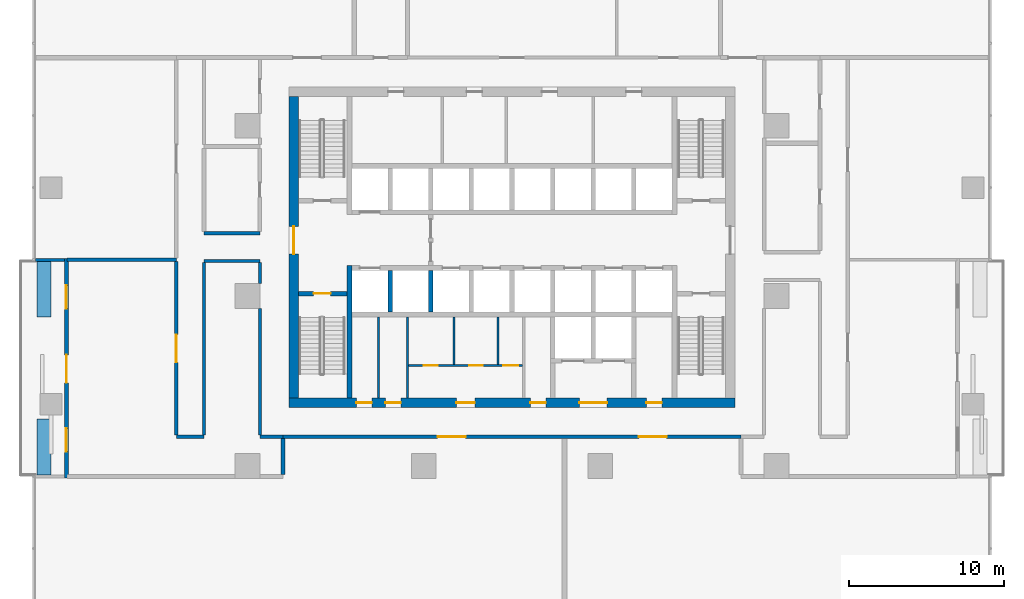
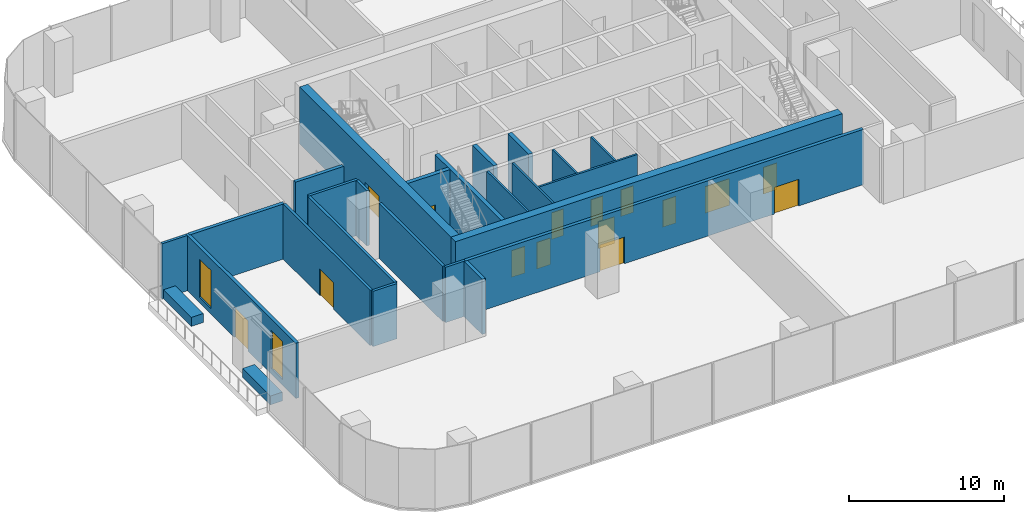
# One storey, part 7 of 14: 26 walls, 15 doors, 2 windows, 17 openings.
"""IFC4 building model written with IfcOpenShell, lengths in metres."""

import ifcopenshell
import ifcopenshell.guid

model = None  # the IFC model being written
_history = None  # IfcOwnerHistory: only IFC2X3 demands one
_inside = {}  # id of a spatial element -> (the spatial element, [elements in it])
_under = {}  # id of a project, library or spatial element -> (it, [spatial elements below it])
_declared = {}  # id of a project -> (the project, [libraries it declares])
_typed = {}  # id of a type object -> (the type object, [elements of that type])
_made_of = {}  # id of a material, layer set ... -> (it, [elements and type objects made of it])


def new_model(schema):
    """Start an empty IFC model of exactly this schema.

    Asked for "IFC4X3", IfcOpenShell would pick the latest addendum, in which some entities
    have other attributes; the version numbers below select the first issue.
    IFC2X3 requires an IfcOwnerHistory on every rooted entity: one is made here for all.
    """
    global model, _history
    if schema == "IFC4X3":
        model = ifcopenshell.file(schema_version=(4, 3, 0, 0))
    else:
        model = ifcopenshell.file(schema=schema)
    _inside.clear()
    _under.clear()
    _declared.clear()
    _typed.clear()
    _made_of.clear()
    _history = None
    if model.schema == "IFC2X3":
        org = make("IfcOrganization", Name="unknown")
        user = make(
            "IfcPersonAndOrganization",
            ThePerson=make("IfcPerson", FamilyName="unknown"),
            TheOrganization=org,
        )
        app = make(
            "IfcApplication",
            ApplicationDeveloper=org,
            Version="unknown",
            ApplicationFullName="unknown",
            ApplicationIdentifier="unknown",
        )
        _history = make(
            "IfcOwnerHistory",
            OwningUser=user,
            OwningApplication=app,
            ChangeAction="ADDED",
            CreationDate=0,
        )
    return model


def make(cls, **values):
    """One entity of the class cls with the attributes given. An attribute that is None is left unset."""
    return model.create_entity(
        cls, **{name: value for name, value in values.items() if value is not None}
    )


def rooted(cls, **values):
    """An entity with a GlobalId (a new one), such as an element, a storey or a relation."""
    return make(cls, GlobalId=ifcopenshell.guid.new(), OwnerHistory=_history, **values)


def si_unit(unit_type, name, prefix=None):
    """IfcSIUnit, for example si_unit("LENGTHUNIT", "METRE", prefix="MILLI")."""
    return make("IfcSIUnit", UnitType=unit_type, Prefix=prefix, Name=name)


def assignment(units):
    """IfcUnitAssignment: the units of a project."""
    return None if units is None else make("IfcUnitAssignment", Units=units)


def point(xyz):
    """IfcCartesianPoint."""
    return None if xyz is None else make("IfcCartesianPoint", Coordinates=xyz)


def direction(xyz):
    """IfcDirection."""
    return None if xyz is None else make("IfcDirection", DirectionRatios=xyz)


def frame(location, z_axis=None, x_axis=None):
    """IfcAxis2Placement3D, a coordinate frame: its origin and axes. An axis left out is left unset."""
    return make(
        "IfcAxis2Placement3D",
        Location=point(location),
        Axis=direction(z_axis),
        RefDirection=direction(x_axis),
    )


def frame_2d(location, x_axis=None):
    """IfcAxis2Placement2D, a coordinate frame in the plane: its origin and x axis."""
    return make(
        "IfcAxis2Placement2D", Location=point(location), RefDirection=direction(x_axis)
    )


def origin():
    """The frame at (0, 0, 0) with its axes left unset."""
    return frame((0.0, 0.0, 0.0))


def place(relative_to, where):
    """IfcLocalPlacement: puts the frame where relative to a parent placement (None: the world)."""
    return make(
        "IfcLocalPlacement", PlacementRelTo=relative_to, RelativePlacement=where
    )


def context(
    kind, dimensions, precision=None, world=None, true_north=None, identifier=None
):
    """IfcGeometricRepresentationContext, for example the 3D "Model" context."""
    return make(
        "IfcGeometricRepresentationContext",
        ContextIdentifier=identifier,
        ContextType=kind,
        CoordinateSpaceDimension=dimensions,
        Precision=precision,
        WorldCoordinateSystem=world,
        TrueNorth=true_north,
    )


def subcontext(parent, identifier, kind, view, scale=None):
    """IfcGeometricRepresentationSubContext, for example "Body" below "Model"."""
    return make(
        "IfcGeometricRepresentationSubContext",
        ContextIdentifier=identifier,
        ContextType=kind,
        ParentContext=parent,
        TargetScale=scale,
        TargetView=view,
    )


def project(units=None, contexts=None):
    """IfcProject with its units and contexts."""
    return rooted(
        "IfcProject",
        Name="project",
        RepresentationContexts=contexts,
        UnitsInContext=assignment(units),
    )


def spatial(cls, under=None, at=None, **own):
    """A site, building, storey or space (cls), placed at a placement, below another one or the project."""
    s = rooted(cls, ObjectPlacement=at, **own)
    if under is not None:
        _under.setdefault(under.id(), (under, []))[1].append(s)
    return s


def profile(cls, at=None, kind="AREA", **sizes):
    """A parametric profile (cls). Its sizes go by their IFC names, for example OverallWidth=200.0."""
    return make(cls, ProfileType=kind, Position=at, **sizes)


def rectangle(**sizes):
    """IfcRectangleProfileDef."""
    return profile("IfcRectangleProfileDef", **sizes)


def extrude(swept, where, along, depth):
    """IfcExtrudedAreaSolid: the profile swept, set in the frame where, extruded along a direction by depth."""
    return make(
        "IfcExtrudedAreaSolid",
        SweptArea=swept,
        Position=where,
        ExtrudedDirection=direction(along),
        Depth=depth,
    )


def shape(context_of_items, identifier, shape_type, items):
    """IfcShapeRepresentation: the items that make up one representation, for example the "Body"."""
    return make(
        "IfcShapeRepresentation",
        ContextOfItems=context_of_items,
        RepresentationIdentifier=identifier,
        RepresentationType=shape_type,
        Items=items,
    )


def material(Name=None, Category=None):
    """IfcMaterial."""
    return make("IfcMaterial", Name=Name, Category=Category)


def layer(
    of_material, thickness, ventilated=None, Name=None, Category=None, Priority=None
):
    """IfcMaterialLayer: one layer of a wall or slab, of a material (None: an air gap)."""
    return make(
        "IfcMaterialLayer",
        Material=of_material,
        LayerThickness=thickness,
        IsVentilated=ventilated,
        Name=Name,
        Category=Category,
        Priority=Priority,
    )


def layer_set(layers, Name=None):
    """IfcMaterialLayerSet."""
    return make("IfcMaterialLayerSet", MaterialLayers=layers, LayerSetName=Name)


def made_of(thing, what):
    """Note that an element or type object is made of a material, layer set ...; save() writes the relation."""
    if what is not None:
        _made_of.setdefault(what.id(), (what, []))[1].append(thing)
    return thing


def type_object(cls, material=None, **own):
    """A type object (cls), such as IfcWallType, which elements share."""
    return made_of(rooted(cls, **own), material)


def element(
    cls,
    number,
    at=None,
    inside=None,
    cuts=None,
    type_object=None,
    material=None,
    context=None,
    identifier="Body",
    shape_type=None,
    held_by="IfcProductDefinitionShape",
    body=None,
    shapes=None,
    **own,
):
    """One element of the class cls, such as IfcWall. Its Tag is "e" and its number.

    at: its placement. inside: the storey or other place that contains it. cuts: it is an
    opening in that element (IfcRelVoidsElement). A single representation is given by context,
    identifier, shape_type and body (its items); several are given by shapes. held_by: the class
    of the entity that holds the representations. save() writes the other relations.
    """
    e = rooted(cls, Tag="e%d" % number, ObjectPlacement=at, **own)
    if body is not None:
        shapes = [shape(context, identifier, shape_type, body)]
    if shapes is not None:
        e.Representation = make(held_by, Representations=shapes)
    if inside is not None:
        _inside.setdefault(inside.id(), (inside, []))[1].append(e)
    if cuts is not None:
        rooted(
            "IfcRelVoidsElement", RelatingBuildingElement=cuts, RelatedOpeningElement=e
        )
    if type_object is not None:
        _typed.setdefault(type_object.id(), (type_object, []))[1].append(e)
    return made_of(e, material)


def fill(opening, filler):
    """IfcRelFillsElement: the door or window that sits in an opening."""
    return rooted(
        "IfcRelFillsElement",
        RelatingOpeningElement=opening,
        RelatedBuildingElement=filler,
    )


def aggregate(whole, parts):
    """IfcRelAggregates: a whole, such as a stair, and the parts it consists of."""
    return rooted("IfcRelAggregates", RelatingObject=whole, RelatedObjects=parts)


def save(model, path):
    """Write the relations noted so far, then the file.

    IfcRelAggregates (storeys below a building ...), IfcRelContainedInSpatialStructure (elements
    in a storey), IfcRelDefinesByType, IfcRelAssociatesMaterial and IfcRelDeclares: one each for
    every whole, place, type object, material and project.
    """
    for whole, parts in _under.values():
        aggregate(whole, parts)
    for where, things in _inside.values():
        rooted(
            "IfcRelContainedInSpatialStructure",
            RelatedElements=things,
            RelatingStructure=where,
        )
    for kind, things in _typed.values():
        rooted("IfcRelDefinesByType", RelatedObjects=things, RelatingType=kind)
    for what, things in _made_of.values():
        rooted("IfcRelAssociatesMaterial", RelatedObjects=things, RelatingMaterial=what)
    for by, libraries in _declared.values():
        rooted("IfcRelDeclares", RelatingContext=by, RelatedDefinitions=libraries)
    model.write(path)


model = new_model("IFC4")

# Units and contexts
model_context = context("Model", 3, precision=1e-05, world=origin(), true_north=direction((0.0, 1.0)))
body_context = subcontext(model_context, "Body", "Model", "MODEL_VIEW")
ifc_project = project(units=[si_unit("LENGTHUNIT", "METRE"), si_unit("AREAUNIT", "SQUARE_METRE"), si_unit("VOLUMEUNIT", "CUBIC_METRE"), si_unit("PLANEANGLEUNIT", "RADIAN"), si_unit("MASSUNIT", "GRAM", prefix="KILO")], contexts=[model_context])

# Site, building, storey
site_placement = place(None, origin())
site = spatial("IfcSite", under=ifc_project, at=site_placement, CompositionType="ELEMENT")
building_placement = place(site_placement, origin())
building = spatial("IfcBuilding", under=site, at=building_placement, Name="Mopane Tessera Tower", CompositionType="ELEMENT")
storey_placement = place(building_placement, frame((0.0, 0.0, 40.60009765625)))
storey = spatial("IfcBuildingStorey", under=building, at=storey_placement, Name="L07", CompositionType="ELEMENT", Elevation=40.60009765625)

# Walls
ifc_material_1 = material(Name="Fire-rated gypsum board partition")
ifc_layer_1 = layer(ifc_material_1, 0.14990234375)
ifc_layer_set_1 = layer_set([ifc_layer_1], Name="Fire-rated gypsum board partition")
wall_type_1 = type_object("IfcWallType", Name="Core room partition 150 mm", PredefinedType="PARTITIONING", material=ifc_layer_set_1)
for number, where, z_axis, x_axis, name in (
    (1, (-8.625, -6.60009765625, 0.0), (0.0, 0.0, 1.0), (0.0, 1.0, 0.0), "L07 Room partition"),
    (2, (-6.75, -6.60009765625, 0.0), (0.0, 0.0, 1.0), (0.0, 1.0, 0.0), "L07 Room partition"),
):
    element("IfcWall", number, at=place(storey_placement, frame(where, z_axis=z_axis, x_axis=x_axis)), inside=storey, type_object=wall_type_1, Name=name, PredefinedType="PARTITIONING", context=body_context, shape_type="SweptSolid", body=[
        extrude(rectangle(XDim=5.25, YDim=0.14990234375, at=frame_2d((2.625, 0.0))), origin(), (0.0, 0.0, 1.0), 4.5),
    ])

# Wall, openings, doors
wall_1_placement = place(storey_placement, frame((-6.675048828125, -4.5, 0.0), z_axis=(0.0, 0.0, 1.0), x_axis=(1.0, 0.0, 0.0)))
wall_1 = element("IfcWall", 3, at=wall_1_placement, inside=storey, type_object=wall_type_1, Name="L07 WC partition", PredefinedType="PARTITIONING", context=body_context, shape_type="SweptSolid", body=[
    extrude(rectangle(XDim=7.35009765625, YDim=0.14990234375, at=frame_2d((3.675048828125, 0.0))), origin(), (0.0, 0.0, 1.0), 4.5),
])
opening_1_placement = place(wall_1_placement, frame((0.97509765625, 0.0, 0.0)))
opening_1 = element("IfcOpeningElement", 4, at=opening_1_placement, cuts=wall_1, Name="Opening WD1", PredefinedType="OPENING", context=body_context, shape_type="SweptSolid", body=[
    extrude(rectangle(XDim=0.89990234375, YDim=2.10009765625, at=frame_2d((0.449951171875, 1.050048828125))), frame((0.0, 0.0869140625, 0.0), z_axis=(0.0, -1.0, 0.0), x_axis=(1.0, 0.0, 0.0)), (0.0, 0.0, 1.0), 0.173828125),
])
opening_2_placement = place(wall_1_placement, frame((3.89990234375, 0.0, 0.0)))
opening_2 = element("IfcOpeningElement", 5, at=opening_2_placement, cuts=wall_1, Name="Opening WD1", PredefinedType="OPENING", context=body_context, shape_type="SweptSolid", body=[
    extrude(rectangle(XDim=0.89990234375, YDim=2.10009765625, at=frame_2d((0.449951171875, 1.050048828125))), frame((0.0, 0.0869140625, 0.0), z_axis=(0.0, -1.0, 0.0), x_axis=(1.0, 0.0, 0.0)), (0.0, 0.0, 1.0), 0.173828125),
])
opening_3_placement = place(wall_1_placement, frame((6.125, 0.0, 0.0)))
opening_3 = element("IfcOpeningElement", 6, at=opening_3_placement, cuts=wall_1, Name="Opening WD2", PredefinedType="OPENING", context=body_context, shape_type="SweptSolid", body=[
    extrude(rectangle(XDim=0.949951171875, YDim=2.10009765625, at=frame_2d((0.47509765625, 1.050048828125))), frame((0.0, 0.0869140625, 0.0), z_axis=(0.0, -1.0, 0.0), x_axis=(1.0, 0.0, 0.0)), (0.0, 0.0, 1.0), 0.173828125),
])
ifc_material_2 = material(Name="Timber door", Category="wood")
door_type_1 = type_object("IfcDoorType", Name="Accessible WC door 950 x 2100", OperationType="SINGLE_SWING_LEFT", PredefinedType="DOOR", material=ifc_material_2)
door_1_placement = place(opening_3_placement, origin())
door_1 = element("IfcDoor", 7, at=door_1_placement, inside=storey, type_object=door_type_1, Name="L07 Accessible WC door", OperationType="SINGLE_SWING_LEFT", OverallHeight=2.10009765625, OverallWidth=0.949951171875, PredefinedType="DOOR", context=body_context, shape_type="SweptSolid", body=[
    extrude(rectangle(XDim=0.949951171875, YDim=2.10009765625, at=frame_2d((0.47509765625, 1.050048828125))), frame((0.0, 0.02490234375, 0.0), z_axis=(0.0, -1.0, 0.0), x_axis=(1.0, 0.0, 0.0)), (0.0, 0.0, 1.0), 0.050048828125),
])
fill(opening_3, door_1)
ifc_material_3 = material(Name="Timber door", Category="wood")
door_type_2 = type_object("IfcDoorType", Name="WC cubicle door 900 x 2100", OperationType="SINGLE_SWING_LEFT", PredefinedType="DOOR", material=ifc_material_3)
door_2_placement = place(opening_1_placement, origin())
door_2 = element("IfcDoor", 8, at=door_2_placement, inside=storey, type_object=door_type_2, Name="L07 Men's WC door", OperationType="SINGLE_SWING_LEFT", OverallHeight=2.10009765625, OverallWidth=0.89990234375, PredefinedType="DOOR", context=body_context, shape_type="SweptSolid", body=[
    extrude(rectangle(XDim=0.89990234375, YDim=2.10009765625, at=frame_2d((0.449951171875, 1.050048828125))), frame((0.0, 0.02490234375, 0.0), z_axis=(0.0, -1.0, 0.0), x_axis=(1.0, 0.0, 0.0)), (0.0, 0.0, 1.0), 0.050048828125),
])
fill(opening_1, door_2)
door_3_placement = place(opening_2_placement, origin())
door_3 = element("IfcDoor", 9, at=door_3_placement, inside=storey, type_object=door_type_2, Name="L07 Women's WC door", OperationType="SINGLE_SWING_LEFT", OverallHeight=2.10009765625, OverallWidth=0.89990234375, PredefinedType="DOOR", context=body_context, shape_type="SweptSolid", body=[
    extrude(rectangle(XDim=0.89990234375, YDim=2.10009765625, at=frame_2d((0.449951171875, 1.050048828125))), frame((0.0, 0.02490234375, 0.0), z_axis=(0.0, -1.0, 0.0), x_axis=(1.0, 0.0, 0.0)), (0.0, 0.0, 1.0), 0.050048828125),
])
fill(opening_2, door_3)

# Walls
for number, where, z_axis, x_axis, name in (
    (10, (-3.75, -4.425048828125, 0.0), (0.0, 0.0, 1.0), (0.0, 1.0, 0.0), "L07 WC partition"),
    (11, (-0.89990234375, -4.425048828125, 0.0), (0.0, 0.0, 1.0), (0.0, 1.0, 0.0), "L07 WC partition"),
):
    element("IfcWall", number, at=place(storey_placement, frame(where, z_axis=z_axis, x_axis=x_axis)), inside=storey, type_object=wall_type_1, Name=name, PredefinedType="PARTITIONING", context=body_context, shape_type="SweptSolid", body=[
        extrude(rectangle(XDim=3.074951171875, YDim=0.14990234375, at=frame_2d((1.53759765625, 0.0))), origin(), (0.0, 0.0, 1.0), 4.5),
    ])

# Wall, openings, doors
ifc_material_4 = material(Name="Concrete C70/85", Category="concrete")
ifc_layer_2 = layer(ifc_material_4, 0.60009765625)
ifc_layer_set_2 = layer_set([ifc_layer_2], Name="Concrete C70/85")
wall_type_2 = type_object("IfcWallType", Name="Core shear wall 600 mm", PredefinedType="SHEAR", material=ifc_layer_set_2)
wall_2_placement = place(storey_placement, frame((-14.39990234375, -6.89990234375, 0.0), z_axis=(0.0, 0.0, 1.0), x_axis=(1.0, 0.0, 0.0)))
wall_2 = element("IfcWall", 12, at=wall_2_placement, inside=storey, type_object=wall_type_2, Name="L07 Core wall south", PredefinedType="SHEAR", context=body_context, shape_type="SweptSolid", body=[
    extrude(rectangle(XDim=28.7998046875, YDim=0.60009765625, at=frame_2d((14.39990234375, 0.0))), origin(), (0.0, 0.0, 1.0), 4.5),
])
opening_4_placement = place(wall_2_placement, frame((4.33740234375, 0.0, 0.0)))
opening_4 = element("IfcOpeningElement", 13, at=opening_4_placement, cuts=wall_2, Name="Opening RD1", PredefinedType="OPENING", context=body_context, shape_type="SweptSolid", body=[
    extrude(rectangle(XDim=1.0, YDim=2.10009765625, at=frame_2d((0.5, 1.050048828125))), frame((0.0, 0.31201171875, 0.0), z_axis=(0.0, -1.0, 0.0), x_axis=(1.0, 0.0, 0.0)), (0.0, 0.0, 1.0), 0.6240234375),
])
opening_5_placement = place(wall_2_placement, frame((6.21240234375, 0.0, 0.0)))
opening_5 = element("IfcOpeningElement", 14, at=opening_5_placement, cuts=wall_2, Name="Opening RD1", PredefinedType="OPENING", context=body_context, shape_type="SweptSolid", body=[
    extrude(rectangle(XDim=1.0, YDim=2.10009765625, at=frame_2d((0.5, 1.050048828125))), frame((0.0, 0.31201171875, 0.0), z_axis=(0.0, -1.0, 0.0), x_axis=(1.0, 0.0, 0.0)), (0.0, 0.0, 1.0), 0.6240234375),
])
opening_6_placement = place(wall_2_placement, frame((10.800048828125, 0.0, 0.0)))
opening_6 = element("IfcOpeningElement", 15, at=opening_6_placement, cuts=wall_2, Name="Opening WD3", PredefinedType="OPENING", context=body_context, shape_type="SweptSolid", body=[
    extrude(rectangle(XDim=1.199951171875, YDim=2.10009765625, at=frame_2d((0.60009765625, 1.050048828125))), frame((0.0, 0.31201171875, 0.0), z_axis=(0.0, -1.0, 0.0), x_axis=(1.0, 0.0, 0.0)), (0.0, 0.0, 1.0), 0.6240234375),
])
opening_7_placement = place(wall_2_placement, frame((15.58740234375, 0.0, 0.0)))
opening_7 = element("IfcOpeningElement", 16, at=opening_7_placement, cuts=wall_2, Name="Opening RD1", PredefinedType="OPENING", context=body_context, shape_type="SweptSolid", body=[
    extrude(rectangle(XDim=1.0, YDim=2.10009765625, at=frame_2d((0.5, 1.050048828125))), frame((0.0, 0.31201171875, 0.0), z_axis=(0.0, -1.0, 0.0), x_axis=(1.0, 0.0, 0.0)), (0.0, 0.0, 1.0), 0.6240234375),
])
opening_8_placement = place(wall_2_placement, frame((18.75, 0.0, 0.0)))
opening_8 = element("IfcOpeningElement", 17, at=opening_8_placement, cuts=wall_2, Name="Opening SD2", PredefinedType="OPENING", context=body_context, shape_type="SweptSolid", body=[
    extrude(rectangle(XDim=1.800048828125, YDim=2.10009765625, at=frame_2d((0.89990234375, 1.050048828125))), frame((0.0, 0.31201171875, 0.0), z_axis=(0.0, -1.0, 0.0), x_axis=(1.0, 0.0, 0.0)), (0.0, 0.0, 1.0), 0.6240234375),
])
opening_9_placement = place(wall_2_placement, frame((23.08740234375, 0.0, 0.0)))
opening_9 = element("IfcOpeningElement", 18, at=opening_9_placement, cuts=wall_2, Name="Opening RD1", PredefinedType="OPENING", context=body_context, shape_type="SweptSolid", body=[
    extrude(rectangle(XDim=1.0, YDim=2.10009765625, at=frame_2d((0.5, 1.050048828125))), frame((0.0, 0.31201171875, 0.0), z_axis=(0.0, -1.0, 0.0), x_axis=(1.0, 0.0, 0.0)), (0.0, 0.0, 1.0), 0.6240234375),
])
ifc_material_5 = material(Name="Steel fire door", Category="steel")
door_type_3 = type_object("IfcDoorType", Name="Core entrance double door 1800 x 2100", OperationType="DOUBLE_DOOR_SINGLE_SWING", PredefinedType="DOOR", material=ifc_material_5)
door_4_placement = place(opening_8_placement, origin())
door_4 = element("IfcDoor", 19, at=door_4_placement, inside=storey, type_object=door_type_3, Name="L07 Service lobby door", OperationType="DOUBLE_DOOR_SINGLE_SWING", OverallHeight=2.10009765625, OverallWidth=1.800048828125, PredefinedType="DOOR", context=body_context, shape_type="SweptSolid", body=[
    extrude(rectangle(XDim=1.800048828125, YDim=2.10009765625, at=frame_2d((0.89990234375, 1.050048828125))), frame((0.0, 0.02490234375, 0.0), z_axis=(0.0, -1.0, 0.0), x_axis=(1.0, 0.0, 0.0)), (0.0, 0.0, 1.0), 0.050048828125),
])
fill(opening_8, door_4)
ifc_material_6 = material(Name="Timber door", Category="wood")
door_type_4 = type_object("IfcDoorType", Name="Core room door 1000 x 2100", OperationType="SINGLE_SWING_LEFT", PredefinedType="DOOR", material=ifc_material_6)
door_5_placement = place(opening_4_placement, origin())
door_5 = element("IfcDoor", 20, at=door_5_placement, inside=storey, type_object=door_type_4, Name="L07 Room door", OperationType="SINGLE_SWING_LEFT", OverallHeight=2.10009765625, OverallWidth=1.0, PredefinedType="DOOR", context=body_context, shape_type="SweptSolid", body=[
    extrude(rectangle(XDim=1.0, YDim=2.10009765625, at=frame_2d((0.5, 1.050048828125))), frame((0.0, 0.02490234375, 0.0), z_axis=(0.0, -1.0, 0.0), x_axis=(1.0, 0.0, 0.0)), (0.0, 0.0, 1.0), 0.050048828125),
])
fill(opening_4, door_5)
door_6_placement = place(opening_5_placement, origin())
door_6 = element("IfcDoor", 21, at=door_6_placement, inside=storey, type_object=door_type_4, Name="L07 Room door", OperationType="SINGLE_SWING_LEFT", OverallHeight=2.10009765625, OverallWidth=1.0, PredefinedType="DOOR", context=body_context, shape_type="SweptSolid", body=[
    extrude(rectangle(XDim=1.0, YDim=2.10009765625, at=frame_2d((0.5, 1.050048828125))), frame((0.0, 0.02490234375, 0.0), z_axis=(0.0, -1.0, 0.0), x_axis=(1.0, 0.0, 0.0)), (0.0, 0.0, 1.0), 0.050048828125),
])
fill(opening_5, door_6)
door_7_placement = place(opening_7_placement, origin())
door_7 = element("IfcDoor", 22, at=door_7_placement, inside=storey, type_object=door_type_4, Name="L07 Room door", OperationType="SINGLE_SWING_LEFT", OverallHeight=2.10009765625, OverallWidth=1.0, PredefinedType="DOOR", context=body_context, shape_type="SweptSolid", body=[
    extrude(rectangle(XDim=1.0, YDim=2.10009765625, at=frame_2d((0.5, 1.050048828125))), frame((0.0, 0.02490234375, 0.0), z_axis=(0.0, -1.0, 0.0), x_axis=(1.0, 0.0, 0.0)), (0.0, 0.0, 1.0), 0.050048828125),
])
fill(opening_7, door_7)
door_8_placement = place(opening_9_placement, origin())
door_8 = element("IfcDoor", 23, at=door_8_placement, inside=storey, type_object=door_type_4, Name="L07 Room door", OperationType="SINGLE_SWING_LEFT", OverallHeight=2.10009765625, OverallWidth=1.0, PredefinedType="DOOR", context=body_context, shape_type="SweptSolid", body=[
    extrude(rectangle(XDim=1.0, YDim=2.10009765625, at=frame_2d((0.5, 1.050048828125))), frame((0.0, 0.02490234375, 0.0), z_axis=(0.0, -1.0, 0.0), x_axis=(1.0, 0.0, 0.0)), (0.0, 0.0, 1.0), 0.050048828125),
])
fill(opening_9, door_8)
ifc_material_7 = material(Name="Timber door", Category="wood")
door_type_5 = type_object("IfcDoorType", Name="WC lobby door 1200 x 2100", OperationType="SINGLE_SWING_LEFT", PredefinedType="DOOR", material=ifc_material_7)
door_9_placement = place(opening_6_placement, origin())
door_9 = element("IfcDoor", 24, at=door_9_placement, inside=storey, type_object=door_type_5, Name="L07 WC lobby door", OperationType="SINGLE_SWING_LEFT", OverallHeight=2.10009765625, OverallWidth=1.199951171875, PredefinedType="DOOR", context=body_context, shape_type="SweptSolid", body=[
    extrude(rectangle(XDim=1.199951171875, YDim=2.10009765625, at=frame_2d((0.60009765625, 1.050048828125))), frame((0.0, 0.02490234375, 0.0), z_axis=(0.0, -1.0, 0.0), x_axis=(1.0, 0.0, 0.0)), (0.0, 0.0, 1.0), 0.050048828125),
])
fill(opening_6, door_9)

# Wall, opening, door
wall_3_placement = place(storey_placement, frame((-14.10009765625, -6.60009765625, 0.0), z_axis=(0.0, 0.0, 1.0), x_axis=(0.0, 1.0, 0.0)))
wall_3 = element("IfcWall", 25, at=wall_3_placement, inside=storey, type_object=wall_type_2, Name="L07 Core wall west", PredefinedType="SHEAR", context=body_context, shape_type="SweptSolid", body=[
    extrude(rectangle(XDim=19.5, YDim=0.60009765625, at=frame_2d((9.75, 0.0))), origin(), (0.0, 0.0, 1.0), 4.5),
])
opening_10_placement = place(wall_3_placement, frame((9.300048828125, 0.0, 0.0)))
opening_10 = element("IfcOpeningElement", 26, at=opening_10_placement, cuts=wall_3, Name="Opening SD2", PredefinedType="OPENING", context=body_context, shape_type="SweptSolid", body=[
    extrude(rectangle(XDim=1.800048828125, YDim=2.10009765625, at=frame_2d((0.89990234375, 1.050048828125))), frame((0.0, 0.31201171875, 0.0), z_axis=(0.0, -1.0, 0.0), x_axis=(1.0, 0.0, 0.0)), (0.0, 0.0, 1.0), 0.6240234375),
])
door_10_placement = place(opening_10_placement, origin())
door_10 = element("IfcDoor", 27, at=door_10_placement, inside=storey, type_object=door_type_3, Name="L07 Core entrance door west", OperationType="DOUBLE_DOOR_SINGLE_SWING", OverallHeight=2.10009765625, OverallWidth=1.800048828125, PredefinedType="DOOR", context=body_context, shape_type="SweptSolid", body=[
    extrude(rectangle(XDim=1.800048828125, YDim=2.10009765625, at=frame_2d((0.89990234375, 1.050048828125))), frame((0.0, 0.02490234375, 0.0), z_axis=(0.0, -1.0, 0.0), x_axis=(1.0, 0.0, 0.0)), (0.0, 0.0, 1.0), 0.050048828125),
])
fill(opening_10, door_10)

# Walls
ifc_material_8 = material(Name="Concrete C60/75", Category="concrete")
ifc_layer_3 = layer(ifc_material_8, 0.300048828125)
ifc_layer_set_3 = layer_set([ifc_layer_3], Name="Concrete C60/75")
wall_type_3 = type_object("IfcWallType", Name="Core spine wall 300 mm", PredefinedType="SHEAR", material=ifc_layer_set_3)
wall_4_placement = place(storey_placement, frame((-10.5, -6.60009765625, 0.0), z_axis=(0.0, 0.0, 1.0), x_axis=(0.0, 1.0, 0.0)))
element("IfcWall", 28, at=wall_4_placement, inside=storey, type_object=wall_type_3, Name="L07 Core spine wall", PredefinedType="SHEAR", context=body_context, shape_type="SweptSolid", body=[
    extrude(rectangle(XDim=8.550048828125, YDim=0.300048828125, at=frame_2d((4.27490234375, 0.0))), origin(), (0.0, 0.0, 1.0), 4.5),
])
ifc_material_9 = material(Name="Gypsum board on steel studs, two layers each face, mineral wool infill", Category="steel")
ifc_layer_4 = layer(ifc_material_9, 0.199951171875)
ifc_layer_set_4 = layer_set([ifc_layer_4], Name="Gypsum board on steel studs, two layers each face, mineral wool infill")
wall_type_4 = type_object("IfcWallType", Name="Gypsum board corridor wall 200, rated EI 60", PredefinedType="PARTITIONING", material=ifc_layer_set_4)
wall_5_placement = place(storey_placement, frame((-21.699951171875, -9.10009765625, 0.0), z_axis=(0.0, 0.0, 1.0), x_axis=(1.0, 0.0, 0.0)))
element("IfcWall", 29, at=wall_5_placement, inside=storey, type_object=wall_type_4, Name="Partition L07:004", PredefinedType="PARTITIONING", context=body_context, shape_type="SweptSolid", body=[
    extrude(rectangle(XDim=1.800048828125, YDim=0.199951171875, at=frame_2d((0.89990234375, 0.0))), origin(), (0.0, 0.0, 1.0), 4.349853515625),
])
wall_6_placement = place(storey_placement, frame((-16.300048828125, -9.10009765625, 0.0), z_axis=(0.0, 0.0, 1.0), x_axis=(1.0, 0.0, 0.0)))
element("IfcWall", 30, at=wall_6_placement, inside=storey, type_object=wall_type_4, Name="Partition L07:005", PredefinedType="PARTITIONING", context=body_context, shape_type="SweptSolid", body=[
    extrude(rectangle(XDim=1.5, YDim=0.199951171875, at=frame_2d((0.75, 0.0))), origin(), (0.0, 0.0, 1.0), 4.349853515625),
])
wall_7_placement = place(storey_placement, frame((-19.89990234375, 2.25, 0.0), z_axis=(0.0, 0.0, 1.0), x_axis=(1.0, 0.0, 0.0)))
element("IfcWall", 31, at=wall_7_placement, inside=storey, type_object=wall_type_4, Name="Partition L07:010", PredefinedType="PARTITIONING", context=body_context, shape_type="SweptSolid", body=[
    extrude(rectangle(XDim=3.599853515625, YDim=0.199951171875, at=frame_2d((1.7998046875, 0.0))), origin(), (0.0, 0.0, 1.0), 4.349853515625),
])

# Wall, opening, door
wall_8_placement = place(storey_placement, frame((-21.699951171875, -9.0, 0.0), z_axis=(0.0, 0.0, 1.0), x_axis=(0.0, 1.0, 0.0)))
wall_8 = element("IfcWall", 32, at=wall_8_placement, inside=storey, type_object=wall_type_4, Name="Partition L07:023", PredefinedType="PARTITIONING", context=body_context, shape_type="SweptSolid", body=[
    extrude(rectangle(XDim=11.2099609375, YDim=0.199951171875, at=frame_2d((5.60498046875, 0.0))), origin(), (0.0, 0.0, 1.0), 4.349853515625),
])
opening_11_placement = place(wall_8_placement, frame((4.705078125, 0.0, 0.0)))
opening_11 = element("IfcOpeningElement", 33, at=opening_11_placement, cuts=wall_8, Name="Opening L07-03", PredefinedType="OPENING", context=body_context, shape_type="SweptSolid", body=[
    extrude(rectangle(XDim=1.800048828125, YDim=2.10009765625, at=frame_2d((0.89990234375, 1.050048828125))), frame((0.0, 0.112060546875, 0.0), z_axis=(0.0, -1.0, 0.0), x_axis=(1.0, 0.0, 0.0)), (0.0, 0.0, 1.0), 0.223876953125),
])
ifc_material_10 = material(Name="Timber veneered steel-framed fire door", Category="steel")
door_type_6 = type_object("IfcDoorType", Name="Fire door pair FD60 1800 x 2100", OperationType="DOUBLE_DOOR_SINGLE_SWING", PredefinedType="DOOR", material=ifc_material_10)
door_11_placement = place(opening_11_placement, origin())
door_11 = element("IfcDoor", 34, at=door_11_placement, inside=storey, type_object=door_type_6, Name="Door L07-03", ObjectType="D20A", OperationType="DOUBLE_DOOR_SINGLE_SWING", OverallHeight=2.10009765625, OverallWidth=1.800048828125, PredefinedType="DOOR", context=body_context, shape_type="SweptSolid", body=[
    extrude(rectangle(XDim=1.800048828125, YDim=2.10009765625, at=frame_2d((0.89990234375, 1.050048828125))), frame((0.0, 0.02490234375, 0.0), z_axis=(0.0, -1.0, 0.0), x_axis=(1.0, 0.0, 0.0)), (0.0, 0.0, 1.0), 0.050048828125),
])
fill(opening_11, door_11)

# Walls
wall_9_placement = place(storey_placement, frame((-19.89990234375, -9.0, 0.0), z_axis=(0.0, 0.0, 1.0), x_axis=(0.0, 1.0, 0.0)))
element("IfcWall", 35, at=wall_9_placement, inside=storey, type_object=wall_type_4, Name="Partition L07:025", PredefinedType="PARTITIONING", context=body_context, shape_type="SweptSolid", body=[
    extrude(rectangle(XDim=11.14990234375, YDim=0.199951171875, at=frame_2d((5.574951171875, 0.0))), origin(), (0.0, 0.0, 1.0), 4.349853515625),
])
wall_10_placement = place(storey_placement, frame((-16.300048828125, -9.0, 0.0), z_axis=(0.0, 0.0, 1.0), x_axis=(0.0, 1.0, 0.0)))
element("IfcWall", 36, at=wall_10_placement, inside=storey, type_object=wall_type_4, Name="Partition L07:028", PredefinedType="PARTITIONING", context=body_context, shape_type="SweptSolid", body=[
    extrude(rectangle(XDim=8.199951171875, YDim=0.199951171875, at=frame_2d((4.10009765625, 0.0))), origin(), (0.0, 0.0, 1.0), 4.349853515625),
])
wall_11_placement = place(storey_placement, frame((-16.300048828125, 0.800048828125, 0.0), z_axis=(0.0, 0.0, 1.0), x_axis=(0.0, 1.0, 0.0)))
element("IfcWall", 37, at=wall_11_placement, inside=storey, type_object=wall_type_4, Name="Partition L07:029", PredefinedType="PARTITIONING", context=body_context, shape_type="SweptSolid", body=[
    extrude(rectangle(XDim=1.349853515625, YDim=0.199951171875, at=frame_2d((0.6748046875, 0.0))), origin(), (0.0, 0.0, 1.0), 4.349853515625),
])

# Wall, opening, door
ifc_material_11 = material(Name="Concrete C50/60", Category="concrete")
ifc_layer_5 = layer(ifc_material_11, 0.300048828125)
ifc_layer_set_5 = layer_set([ifc_layer_5], Name="Concrete C50/60")
wall_type_5 = type_object("IfcWallType", Name="Lift and stair shaft wall 300 mm", PredefinedType="SOLIDWALL", material=ifc_layer_set_5)
wall_12_placement = place(storey_placement, frame((-13.800048828125, 0.14990234375, 0.0), z_axis=(0.0, 0.0, 1.0), x_axis=(1.0, 0.0, 0.0)))
wall_12 = element("IfcWall", 38, at=wall_12_placement, inside=storey, type_object=wall_type_5, Name="L07 Stair enclosure wall", PredefinedType="SOLIDWALL", context=body_context, shape_type="SweptSolid", body=[
    extrude(rectangle(XDim=3.150146484375, YDim=0.300048828125, at=frame_2d((1.5751953125, 0.0))), origin(), (0.0, 0.0, 1.0), 4.5),
])
opening_12_placement = place(wall_12_placement, frame((0.97509765625, 0.0, 0.0)))
opening_12 = element("IfcOpeningElement", 39, at=opening_12_placement, cuts=wall_12, Name="Opening SD1", PredefinedType="OPENING", context=body_context, shape_type="SweptSolid", body=[
    extrude(rectangle(XDim=1.10009765625, YDim=2.10009765625, at=frame_2d((0.550048828125, 1.050048828125))), frame((0.0, 0.162109375, 0.0), z_axis=(0.0, -1.0, 0.0), x_axis=(1.0, 0.0, 0.0)), (0.0, 0.0, 1.0), 0.323974609375),
])
ifc_material_12 = material(Name="Steel fire door", Category="steel")
door_type_7 = type_object("IfcDoorType", Name="Stair fire door 1100 x 2100", OperationType="SINGLE_SWING_LEFT", PredefinedType="DOOR", material=ifc_material_12)
door_12_placement = place(opening_12_placement, origin())
door_12 = element("IfcDoor", 40, at=door_12_placement, inside=storey, type_object=door_type_7, Name="L07 Stair door ST1", OperationType="SINGLE_SWING_LEFT", OverallHeight=2.10009765625, OverallWidth=1.10009765625, PredefinedType="DOOR", context=body_context, shape_type="SweptSolid", body=[
    extrude(rectangle(XDim=1.10009765625, YDim=2.10009765625, at=frame_2d((0.550048828125, 1.050048828125))), frame((0.0, 0.02490234375, 0.0), z_axis=(0.0, -1.0, 0.0), x_axis=(1.0, 0.0, 0.0)), (0.0, 0.0, 1.0), 0.050048828125),
])
fill(opening_12, door_12)

# Walls
for number, where, z_axis, x_axis, name in (
    (41, (-7.875, -1.050048828125, 0.0), (0.0, 0.0, 1.0), (0.0, 1.0, 0.0), "L07 Lift shaft wall"),
    (42, (-5.25, -1.050048828125, 0.0), (0.0, 0.0, 1.0), (0.0, 1.0, 0.0), "L07 Lift shaft wall"),
):
    element("IfcWall", number, at=place(storey_placement, frame(where, z_axis=z_axis, x_axis=x_axis)), inside=storey, type_object=wall_type_5, Name=name, PredefinedType="SOLIDWALL", context=body_context, shape_type="SweptSolid", body=[
        extrude(rectangle(XDim=2.699951171875, YDim=0.300048828125, at=frame_2d((1.35009765625, 0.0))), origin(), (0.0, 0.0, 1.0), 4.5),
    ])
ifc_material_13 = material(Name="Reinforced concrete C32/40 with waterproofing", Category="concrete")
ifc_layer_6 = layer(ifc_material_13, 0.89990234375)
ifc_layer_set_6 = layer_set([ifc_layer_6], Name="Reinforced concrete C32/40 with waterproofing")
wall_type_6 = type_object("IfcWallType", Name="Planter trough 3600 x 900", PredefinedType="STANDARD", material=ifc_layer_set_6)
for number, where, z_axis, x_axis, name in (
    (43, (-30.25, 2.2333984375, 0.0), (0.0, 0.0, 1.0), (0.0, -1.0, 0.0), "e:nw:L07:N3:pl0"),
    (44, (-30.25, -7.966552734375, 0.0), (0.0, 0.0, 1.0), (0.0, -1.0, 0.0), "e:nw:L07:N3:pl1"),
):
    element("IfcWall", number, at=place(storey_placement, frame(where, z_axis=z_axis, x_axis=x_axis)), inside=storey, type_object=wall_type_6, Name=name, PredefinedType="STANDARD", context=body_context, shape_type="SweptSolid", body=[
        extrude(rectangle(XDim=3.60009765625, YDim=0.89990234375, at=frame_2d((1.800048828125, 0.0))), origin(), (0.0, 0.0, 1.0), 0.699951171875),
    ])

# Wall, openings, doors
ifc_material_14 = material(Name="Plastered concrete blockwork C20/25", Category="masonry")
ifc_layer_7 = layer(ifc_material_14, 0.25)
ifc_layer_set_7 = layer_set([ifc_layer_7], Name="Plastered concrete blockwork C20/25")
wall_type_7 = type_object("IfcWallType", Name="Plastered blockwork wall 250, rated EI 120", PredefinedType="PARTITIONING", material=ifc_layer_set_7)
wall_13_placement = place(storey_placement, frame((-14.800048828125, -9.10009765625, 0.0), z_axis=(0.0, 0.0, 1.0), x_axis=(1.0, 0.0, 0.0)))
wall_13 = element("IfcWall", 45, at=wall_13_placement, inside=storey, type_object=wall_type_7, Name="Partition L07:008", PredefinedType="PARTITIONING", context=body_context, shape_type="SweptSolid", body=[
    extrude(rectangle(XDim=29.60009765625, YDim=0.25, at=frame_2d((14.800048828125, 0.0))), origin(), (0.0, 0.0, 1.0), 4.349853515625),
])
opening_13_placement = place(wall_13_placement, frame((22.99755859375, 0.0, 0.0)))
opening_13 = element("IfcOpeningElement", 46, at=opening_13_placement, cuts=wall_13, Name="Opening L07-07", PredefinedType="OPENING", context=body_context, shape_type="SweptSolid", body=[
    extrude(rectangle(XDim=1.800048828125, YDim=2.10009765625, at=frame_2d((0.89990234375, 1.050048828125))), frame((0.0, 0.136962890625, 0.0), z_axis=(0.0, -1.0, 0.0), x_axis=(1.0, 0.0, 0.0)), (0.0, 0.0, 1.0), 0.27392578125),
])
opening_14_placement = place(wall_13_placement, frame((9.99755859375, 0.0, 0.0)))
opening_14 = element("IfcOpeningElement", 47, at=opening_14_placement, cuts=wall_13, Name="Opening L07-09", PredefinedType="OPENING", context=body_context, shape_type="SweptSolid", body=[
    extrude(rectangle(XDim=1.800048828125, YDim=2.10009765625, at=frame_2d((0.89990234375, 1.050048828125))), frame((0.0, 0.136962890625, 0.0), z_axis=(0.0, -1.0, 0.0), x_axis=(1.0, 0.0, 0.0)), (0.0, 0.0, 1.0), 0.27392578125),
])
ifc_material_15 = material(Name="Timber veneered steel-framed fire door", Category="steel")
door_type_8 = type_object("IfcDoorType", Name="Fire door pair FD120 1800 x 2100", OperationType="DOUBLE_DOOR_SINGLE_SWING", PredefinedType="DOOR", material=ifc_material_15)
door_13_placement = place(opening_13_placement, origin())
door_13 = element("IfcDoor", 48, at=door_13_placement, inside=storey, type_object=door_type_8, Name="Door L07-07", ObjectType="D20B", OperationType="DOUBLE_DOOR_SINGLE_SWING", OverallHeight=2.10009765625, OverallWidth=1.800048828125, PredefinedType="DOOR", context=body_context, shape_type="SweptSolid", body=[
    extrude(rectangle(XDim=1.800048828125, YDim=2.10009765625, at=frame_2d((0.89990234375, 1.050048828125))), frame((0.0, 0.02490234375, 0.0), z_axis=(0.0, -1.0, 0.0), x_axis=(1.0, 0.0, 0.0)), (0.0, 0.0, 1.0), 0.050048828125),
])
fill(opening_13, door_13)
door_14_placement = place(opening_14_placement, origin())
door_14 = element("IfcDoor", 49, at=door_14_placement, inside=storey, type_object=door_type_8, Name="Door L07-09", ObjectType="D20B", OperationType="DOUBLE_DOOR_SINGLE_SWING", OverallHeight=2.10009765625, OverallWidth=1.800048828125, PredefinedType="DOOR", context=body_context, shape_type="SweptSolid", body=[
    extrude(rectangle(XDim=1.800048828125, YDim=2.10009765625, at=frame_2d((0.89990234375, 1.050048828125))), frame((0.0, 0.02490234375, 0.0), z_axis=(0.0, -1.0, 0.0), x_axis=(1.0, 0.0, 0.0)), (0.0, 0.0, 1.0), 0.050048828125),
])
fill(opening_14, door_14)

# Walls
wall_14_placement = place(storey_placement, frame((-28.75, 2.3349609375, 0.0), z_axis=(0.0, 0.0, 1.0), x_axis=(1.0, 0.0, 0.0)))
element("IfcWall", 50, at=wall_14_placement, inside=storey, type_object=wall_type_7, Name="Partition L07:012", PredefinedType="PARTITIONING", context=body_context, shape_type="SweptSolid", body=[
    extrude(rectangle(XDim=7.050048828125, YDim=0.25, at=frame_2d((3.52490234375, 0.0))), origin(), (0.0, 0.0, 1.0), 4.349853515625),
])
wall_15_placement = place(storey_placement, frame((-19.89990234375, 4.050048828125, 0.0), z_axis=(0.0, 0.0, 1.0), x_axis=(1.0, 0.0, 0.0)))
element("IfcWall", 51, at=wall_15_placement, inside=storey, type_object=wall_type_7, Name="Partition L07:014", PredefinedType="PARTITIONING", context=body_context, shape_type="SweptSolid", body=[
    extrude(rectangle(XDim=3.599853515625, YDim=0.25, at=frame_2d((1.7998046875, 0.0))), origin(), (0.0, 0.0, 1.0), 4.349853515625),
])
wall_16_placement = place(storey_placement, frame((-14.800048828125, -11.5400390625, 0.0), z_axis=(0.0, 0.0, 1.0), x_axis=(0.0, 1.0, 0.0)))
element("IfcWall", 52, at=wall_16_placement, inside=storey, type_object=wall_type_7, Name="Partition L07:033", PredefinedType="PARTITIONING", context=body_context, shape_type="SweptSolid", body=[
    extrude(rectangle(XDim=2.31494140625, YDim=0.25, at=frame_2d((1.157470703125, 0.0))), origin(), (0.0, 0.0, 1.0), 4.349853515625),
])
ifc_material_16 = material(Name="Blockwork with glazed tile facing", Category="masonry")
ifc_layer_8 = layer(ifc_material_16, 0.199951171875)
ifc_layer_set_8 = layer_set([ifc_layer_8], Name="Blockwork with glazed tile facing")
wall_type_8 = type_object("IfcWallType", Name="Terrace cheek wall 200", PredefinedType="STANDARD", material=ifc_layer_set_8)
wall_17_placement = place(storey_placement, frame((-30.800048828125, 2.333251953125, 0.0), z_axis=(0.0, 0.0, 1.0), x_axis=(1.0, 0.0, 0.0)))
element("IfcWall", 53, at=wall_17_placement, inside=storey, type_object=wall_type_8, Name="e:nw:L07:N3:cheeka", PredefinedType="STANDARD", context=body_context, shape_type="SweptSolid", body=[
    extrude(rectangle(XDim=1.875, YDim=0.199951171875, at=frame_2d((0.9375, 0.0))), origin(), (0.0, 0.0, 1.0), 4.349853515625),
])

# Wall, openings, windows, door
ifc_material_17 = material(Name="Blockwork with ultramarine glazed tile facing", Category="masonry")
ifc_layer_9 = layer(ifc_material_17, 0.25)
ifc_layer_set_9 = layer_set([ifc_layer_9], Name="Blockwork with ultramarine glazed tile facing")
wall_type_9 = type_object("IfcWallType", Name="Tile-clad external wall 250, ultramarine", PredefinedType="STANDARD", material=ifc_layer_set_9)
wall_18_placement = place(storey_placement, frame((-28.800048828125, 2.433349609375, 0.0), z_axis=(0.0, 0.0, 1.0), x_axis=(0.0, -1.0, 0.0)))
wall_18 = element("IfcWall", 54, at=wall_18_placement, inside=storey, type_object=wall_type_9, Name="e:nw:L07:N3:back", PredefinedType="STANDARD", context=body_context, shape_type="SweptSolid", body=[
    extrude(rectangle(XDim=14.199951171875, YDim=0.25, at=frame_2d((7.10009765625, 0.0))), origin(), (0.0, 0.0, 1.0), 4.349853515625),
])
opening_15_placement = place(wall_18_placement, frame((1.75, 0.0, 0.449951171875)))
opening_15 = element("IfcOpeningElement", 55, at=opening_15_placement, cuts=wall_18, Name="Opening NW073A", PredefinedType="OPENING", context=body_context, shape_type="SweptSolid", body=[
    extrude(rectangle(XDim=1.5, YDim=3.0, at=frame_2d((0.75, 1.5))), frame((0.0, 0.136962890625, 0.0), z_axis=(0.0, -1.0, 0.0), x_axis=(1.0, 0.0, 0.0)), (0.0, 0.0, 1.0), 0.27392578125),
])
opening_16_placement = place(wall_18_placement, frame((6.25, 0.0, 0.0)))
opening_16 = element("IfcOpeningElement", 56, at=opening_16_placement, cuts=wall_18, Name="Opening ND073", PredefinedType="OPENING", context=body_context, shape_type="SweptSolid", body=[
    extrude(rectangle(XDim=1.800048828125, YDim=2.39990234375, at=frame_2d((0.89990234375, 1.199951171875))), frame((0.0, 0.136962890625, 0.0), z_axis=(0.0, -1.0, 0.0), x_axis=(1.0, 0.0, 0.0)), (0.0, 0.0, 1.0), 0.27392578125),
])
opening_17_placement = place(wall_18_placement, frame((11.0, 0.0, 0.449951171875)))
opening_17 = element("IfcOpeningElement", 57, at=opening_17_placement, cuts=wall_18, Name="Opening NW073B", PredefinedType="OPENING", context=body_context, shape_type="SweptSolid", body=[
    extrude(rectangle(XDim=1.5, YDim=3.0, at=frame_2d((0.75, 1.5))), frame((0.0, 0.136962890625, 0.0), z_axis=(0.0, -1.0, 0.0), x_axis=(1.0, 0.0, 0.0)), (0.0, 0.0, 1.0), 0.27392578125),
])
ifc_material_18 = material(Name="Clear laminated glass", Category="glass")
window_type = type_object("IfcWindowType", Name="Fixed window 1500 x 3000", PartitioningType="SINGLE_PANEL", PredefinedType="WINDOW", material=ifc_material_18)
window_1_placement = place(opening_15_placement, origin())
window_1 = element("IfcWindow", 58, at=window_1_placement, inside=storey, type_object=window_type, Name="e:nw:L07:N3:win0", OverallHeight=3.0, OverallWidth=1.5, PartitioningType="SINGLE_PANEL", PredefinedType="WINDOW", context=body_context, shape_type="SweptSolid", body=[
    extrude(rectangle(XDim=1.5, YDim=3.0, at=frame_2d((0.75, 1.5))), frame((0.0, 0.030029296875, 0.0), z_axis=(0.0, -1.0, 0.0), x_axis=(1.0, 0.0, 0.0)), (0.0, 0.0, 1.0), 0.06005859375),
])
fill(opening_15, window_1)
window_2_placement = place(opening_17_placement, origin())
window_2 = element("IfcWindow", 59, at=window_2_placement, inside=storey, type_object=window_type, Name="e:nw:L07:N3:win2", OverallHeight=3.0, OverallWidth=1.5, PartitioningType="SINGLE_PANEL", PredefinedType="WINDOW", context=body_context, shape_type="SweptSolid", body=[
    extrude(rectangle(XDim=1.5, YDim=3.0, at=frame_2d((0.75, 1.5))), frame((0.0, 0.030029296875, 0.0), z_axis=(0.0, -1.0, 0.0), x_axis=(1.0, 0.0, 0.0)), (0.0, 0.0, 1.0), 0.06005859375),
])
fill(opening_17, window_2)
ifc_material_19 = material(Name="Aluminium and clear glass", Category="aluminium")
door_type_9 = type_object("IfcDoorType", Name="Terrace double door 1800 x 2400", OperationType="DOUBLE_DOOR_SINGLE_SWING", PredefinedType="DOOR", material=ifc_material_19)
door_15_placement = place(opening_16_placement, origin())
door_15 = element("IfcDoor", 60, at=door_15_placement, inside=storey, type_object=door_type_9, Name="e:nw:L07:N3:door", ObjectType="D1", OperationType="DOUBLE_DOOR_SINGLE_SWING", OverallHeight=2.39990234375, OverallWidth=1.800048828125, PredefinedType="DOOR", context=body_context, shape_type="SweptSolid", body=[
    extrude(rectangle(XDim=1.800048828125, YDim=2.39990234375, at=frame_2d((0.89990234375, 1.199951171875))), frame((0.0, 0.02490234375, 0.0), z_axis=(0.0, -1.0, 0.0), x_axis=(1.0, 0.0, 0.0)), (0.0, 0.0, 1.0), 0.050048828125),
])
fill(opening_16, door_15)

save(model, "model.ifc")
